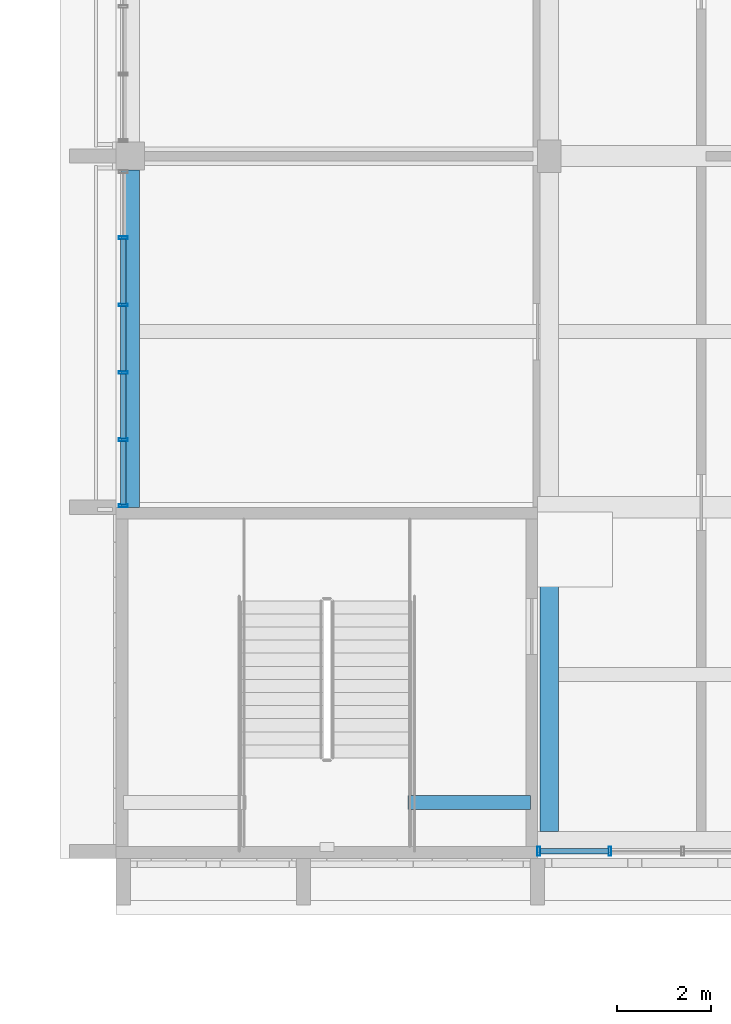
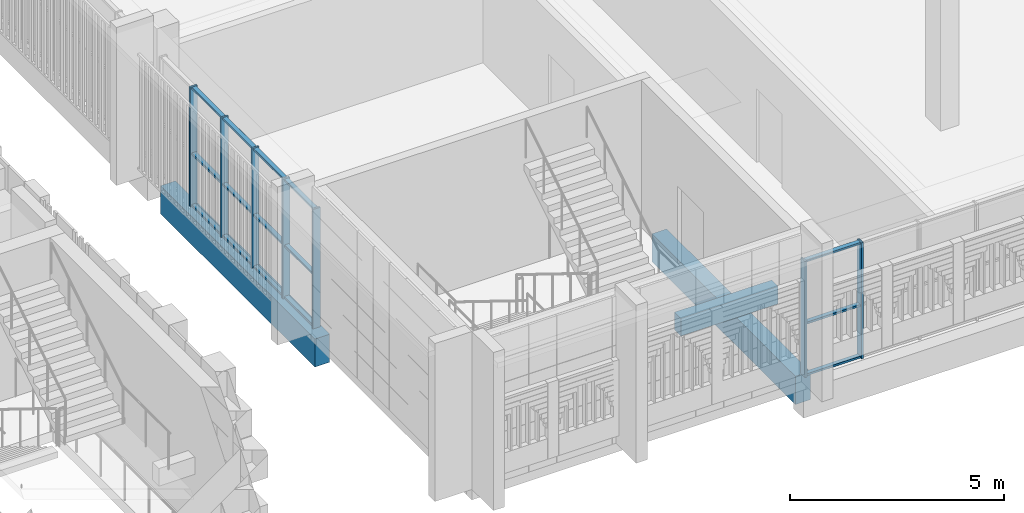
# One storey, part 18 of 92: 22 members, 3 beams, 2 elements without a shape of their own.
"""IFC4 building model written with IfcOpenShell, lengths in metres."""

from ifc_helpers import new_model, si_unit, direction, frame, origin, origin_2d, place, context, subcontext, project, spatial, rectangle, hollow_rectangle, extrude, material, material_profile, profile_set, type_object, element, aggregate, save


model = new_model("IFC4")

# Units and contexts
model_context = context("Model", 3, precision=1e-05, world=origin(), true_north=direction((0.0, 1.0)))
body_context = subcontext(model_context, "Body", "Model", "MODEL_VIEW")
ifc_project = project(units=[si_unit("LENGTHUNIT", "METRE"), si_unit("AREAUNIT", "SQUARE_METRE"), si_unit("VOLUMEUNIT", "CUBIC_METRE"), si_unit("PLANEANGLEUNIT", "RADIAN"), si_unit("MASSUNIT", "GRAM", prefix="KILO")], contexts=[model_context])

# Site, building, storey
site_placement = place(None, origin())
site = spatial("IfcSite", under=ifc_project, at=site_placement, CompositionType="ELEMENT")
building_placement = place(site_placement, origin())
building = spatial("IfcBuilding", under=site, at=building_placement, Name="Sun Court Science Centre", CompositionType="ELEMENT")
storey_placement = place(building_placement, frame((0.0, 0.0, 11.25)))
storey = spatial("IfcBuildingStorey", under=building, at=storey_placement, Name="L02", CompositionType="ELEMENT", Elevation=11.25)

# Curtain wall, members
ifc_material_1 = material(Name="Aluminium EN AW-6063 T6", Category="aluminium")
curtain_wall_type = type_object("IfcCurtainWallType", Name="Laboratory tall bay curtain wall 1500", PredefinedType="NOTDEFINED", material=ifc_material_1)
curtain_wall_1_placement = place(storey_placement, origin())
curtain_wall_1 = element("IfcCurtainWall", 1, at=curtain_wall_1_placement, inside=storey, type_object=curtain_wall_type, Name="Curtain wall V4 W L02 01", PredefinedType="NOTDEFINED")
ifc_material_2 = material(Name="Aluminium EN AW-6063 T6", Category="aluminium")
ifc_material_profile_1 = material_profile(ifc_material_2, hollow_rectangle(XDim=0.06005859375, YDim=0.199951171875, WallThickness=0.0048828125, InnerFilletRadius=0.0048828125, OuterFilletRadius=0.007568359375, at=origin_2d()), Name="AL 60x200x5")
ifc_profile_set_1 = profile_set([ifc_material_profile_1], Name="Aluminium EN AW-6063 T6")
member_type_1 = type_object("IfcMemberType", Name="Curtain wall mullion AL 60x200", PredefinedType="MULLION", material=ifc_profile_set_1)
member_1_placement = place(storey_placement, frame((78.14990234375, 13.530029296875, 0.0), z_axis=(0.0, 0.0, 1.0), x_axis=(0.0, 1.0, 0.0)))
member_1 = element("IfcMember", 2, at=member_1_placement, type_object=member_type_1, Name="CW2-19 mullion 1", PredefinedType="MULLION", context=body_context, shape_type="SweptSolid", body=[
    extrude(hollow_rectangle(XDim=0.06005859375, YDim=0.199951171875, WallThickness=0.0048828125, InnerFilletRadius=0.0048828125, OuterFilletRadius=0.007568359375, at=origin_2d()), origin(), (0.0, 0.0, 1.0), 3.39990234375),
])
member_2_placement = place(storey_placement, frame((78.14990234375, 14.93994140625, 0.0), z_axis=(0.0, 0.0, 1.0), x_axis=(0.0, 1.0, 0.0)))
member_2 = element("IfcMember", 3, at=member_2_placement, type_object=member_type_1, Name="CW2-19 mullion 2", PredefinedType="MULLION", context=body_context, shape_type="SweptSolid", body=[
    extrude(hollow_rectangle(XDim=0.06005859375, YDim=0.199951171875, WallThickness=0.0048828125, InnerFilletRadius=0.0048828125, OuterFilletRadius=0.007568359375, at=origin_2d()), origin(), (0.0, 0.0, 1.0), 3.39990234375),
])
member_3_placement = place(storey_placement, frame((78.14990234375, 16.3798828125, 0.0), z_axis=(0.0, 0.0, 1.0), x_axis=(0.0, 1.0, 0.0)))
member_3 = element("IfcMember", 4, at=member_3_placement, type_object=member_type_1, Name="CW2-19 mullion 3", PredefinedType="MULLION", context=body_context, shape_type="SweptSolid", body=[
    extrude(hollow_rectangle(XDim=0.06005859375, YDim=0.199951171875, WallThickness=0.0048828125, InnerFilletRadius=0.0048828125, OuterFilletRadius=0.007568359375, at=origin_2d()), origin(), (0.0, 0.0, 1.0), 3.39990234375),
])
member_4_placement = place(storey_placement, frame((78.14990234375, 17.820068359375, 0.0), z_axis=(0.0, 0.0, 1.0), x_axis=(0.0, 1.0, 0.0)))
member_4 = element("IfcMember", 5, at=member_4_placement, type_object=member_type_1, Name="CW2-19 mullion 4", PredefinedType="MULLION", context=body_context, shape_type="SweptSolid", body=[
    extrude(hollow_rectangle(XDim=0.06005859375, YDim=0.199951171875, WallThickness=0.0048828125, InnerFilletRadius=0.0048828125, OuterFilletRadius=0.007568359375, at=origin_2d()), origin(), (0.0, 0.0, 1.0), 3.39990234375),
])
member_5_placement = place(storey_placement, frame((78.14990234375, 19.260009765625, 0.0), z_axis=(0.0, 0.0, 1.0), x_axis=(0.0, 1.0, 0.0)))
member_5 = element("IfcMember", 6, at=member_5_placement, type_object=member_type_1, Name="CW2-19 mullion 5", PredefinedType="MULLION", context=body_context, shape_type="SweptSolid", body=[
    extrude(hollow_rectangle(XDim=0.06005859375, YDim=0.199951171875, WallThickness=0.0048828125, InnerFilletRadius=0.0048828125, OuterFilletRadius=0.007568359375, at=origin_2d()), origin(), (0.0, 0.0, 1.0), 3.39990234375),
])

curtain_wall_2_placement = place(storey_placement, origin())
curtain_wall_2 = element("IfcCurtainWall", 7, at=curtain_wall_2_placement, inside=storey, type_object=curtain_wall_type, Name="Curtain wall V4 S L02 02", PredefinedType="NOTDEFINED")
member_6_placement = place(storey_placement, frame((87.030029296875, 6.14990234375, 0.0), z_axis=(0.0, 0.0, 1.0), x_axis=(-1.0, 0.0, 0.0)))
member_6 = element("IfcMember", 8, at=member_6_placement, type_object=member_type_1, Name="CW2-52 mullion 6", PredefinedType="MULLION", context=body_context, shape_type="SweptSolid", body=[
    extrude(hollow_rectangle(XDim=0.06005859375, YDim=0.199951171875, WallThickness=0.0048828125, InnerFilletRadius=0.0048828125, OuterFilletRadius=0.007568359375, at=origin_2d()), origin(), (0.0, 0.0, 1.0), 3.300048828125),
])
member_7_placement = place(storey_placement, frame((88.550048828125, 6.14990234375, 0.0), z_axis=(0.0, 0.0, 1.0), x_axis=(-1.0, 0.0, 0.0)))
member_7 = element("IfcMember", 9, at=member_7_placement, type_object=member_type_1, Name="CW2-52 mullion 5", PredefinedType="MULLION", context=body_context, shape_type="SweptSolid", body=[
    extrude(hollow_rectangle(XDim=0.06005859375, YDim=0.199951171875, WallThickness=0.0048828125, InnerFilletRadius=0.0048828125, OuterFilletRadius=0.007568359375, at=origin_2d()), origin(), (0.0, 0.0, 1.0), 3.300048828125),
])

# Member
ifc_material_3 = material(Name="Aluminium EN AW-6063 T6", Category="aluminium")
ifc_material_profile_2 = material_profile(ifc_material_3, hollow_rectangle(XDim=0.06005859375, YDim=0.1201171875, WallThickness=0.00390625, InnerFilletRadius=0.00390625, OuterFilletRadius=0.006103515625, at=origin_2d()), Name="AL 60x120x4")
ifc_profile_set_2 = profile_set([ifc_material_profile_2], Name="Aluminium EN AW-6063 T6")
member_type_2 = type_object("IfcMemberType", Name="Curtain wall transom AL 60x120", PredefinedType="USERDEFINED", material=ifc_profile_set_2)
member_8_placement = place(storey_placement, frame((78.14990234375, 13.56005859375, 0.030029296875), z_axis=(0.0, 1.0, 0.0), x_axis=(0.0, 0.0, 1.0)))
member_8 = element("IfcMember", 10, at=member_8_placement, type_object=member_type_2, Name="CW2-19 transom 1.1", ObjectType="TRANSOM", PredefinedType="USERDEFINED", context=body_context, shape_type="SweptSolid", body=[
    extrude(hollow_rectangle(XDim=0.06005859375, YDim=0.1201171875, WallThickness=0.00390625, InnerFilletRadius=0.00390625, OuterFilletRadius=0.006103515625, at=origin_2d()), origin(), (0.0, 0.0, 1.0), 1.349853515625),
])

member_9_placement = place(storey_placement, frame((78.14990234375, 14.969970703125, 0.030029296875), z_axis=(0.0, 1.0, 0.0), x_axis=(0.0, 0.0, 1.0)))
member_9 = element("IfcMember", 11, at=member_9_placement, type_object=member_type_2, Name="CW2-19 transom 2.1", ObjectType="TRANSOM", PredefinedType="USERDEFINED", context=body_context, shape_type="SweptSolid", body=[
    extrude(hollow_rectangle(XDim=0.06005859375, YDim=0.1201171875, WallThickness=0.00390625, InnerFilletRadius=0.00390625, OuterFilletRadius=0.006103515625, at=origin_2d()), origin(), (0.0, 0.0, 1.0), 1.380126953125),
])

member_10_placement = place(storey_placement, frame((78.14990234375, 16.409912109375, 0.030029296875), z_axis=(0.0, 1.0, 0.0), x_axis=(0.0, 0.0, 1.0)))
member_10 = element("IfcMember", 12, at=member_10_placement, type_object=member_type_2, Name="CW2-19 transom 3.1", ObjectType="TRANSOM", PredefinedType="USERDEFINED", context=body_context, shape_type="SweptSolid", body=[
    extrude(hollow_rectangle(XDim=0.06005859375, YDim=0.1201171875, WallThickness=0.00390625, InnerFilletRadius=0.00390625, OuterFilletRadius=0.006103515625, at=origin_2d()), origin(), (0.0, 0.0, 1.0), 1.380126953125),
])

member_11_placement = place(storey_placement, frame((78.14990234375, 17.85009765625, 0.030029296875), z_axis=(0.0, 1.0, 0.0), x_axis=(0.0, 0.0, 1.0)))
member_11 = element("IfcMember", 13, at=member_11_placement, type_object=member_type_2, Name="CW2-19 transom 4.1", ObjectType="TRANSOM", PredefinedType="USERDEFINED", context=body_context, shape_type="SweptSolid", body=[
    extrude(hollow_rectangle(XDim=0.06005859375, YDim=0.1201171875, WallThickness=0.00390625, InnerFilletRadius=0.00390625, OuterFilletRadius=0.006103515625, at=origin_2d()), origin(), (0.0, 0.0, 1.0), 1.3798828125),
])

member_12_placement = place(storey_placement, frame((78.14990234375, 13.56005859375, 1.5), z_axis=(0.0, 1.0, 0.0), x_axis=(0.0, 0.0, 1.0)))
member_12 = element("IfcMember", 14, at=member_12_placement, type_object=member_type_2, Name="CW2-19 transom 1.2", ObjectType="TRANSOM", PredefinedType="USERDEFINED", context=body_context, shape_type="SweptSolid", body=[
    extrude(hollow_rectangle(XDim=0.06005859375, YDim=0.1201171875, WallThickness=0.00390625, InnerFilletRadius=0.00390625, OuterFilletRadius=0.006103515625, at=origin_2d()), origin(), (0.0, 0.0, 1.0), 1.349853515625),
])

member_13_placement = place(storey_placement, frame((78.14990234375, 14.969970703125, 1.5), z_axis=(0.0, 1.0, 0.0), x_axis=(0.0, 0.0, 1.0)))
member_13 = element("IfcMember", 15, at=member_13_placement, type_object=member_type_2, Name="CW2-19 transom 2.2", ObjectType="TRANSOM", PredefinedType="USERDEFINED", context=body_context, shape_type="SweptSolid", body=[
    extrude(hollow_rectangle(XDim=0.06005859375, YDim=0.1201171875, WallThickness=0.00390625, InnerFilletRadius=0.00390625, OuterFilletRadius=0.006103515625, at=origin_2d()), origin(), (0.0, 0.0, 1.0), 1.380126953125),
])

member_14_placement = place(storey_placement, frame((78.14990234375, 16.409912109375, 1.5), z_axis=(0.0, 1.0, 0.0), x_axis=(0.0, 0.0, 1.0)))
member_14 = element("IfcMember", 16, at=member_14_placement, type_object=member_type_2, Name="CW2-19 transom 3.2", ObjectType="TRANSOM", PredefinedType="USERDEFINED", context=body_context, shape_type="SweptSolid", body=[
    extrude(hollow_rectangle(XDim=0.06005859375, YDim=0.1201171875, WallThickness=0.00390625, InnerFilletRadius=0.00390625, OuterFilletRadius=0.006103515625, at=origin_2d()), origin(), (0.0, 0.0, 1.0), 1.380126953125),
])

member_15_placement = place(storey_placement, frame((78.14990234375, 17.85009765625, 1.5), z_axis=(0.0, 1.0, 0.0), x_axis=(0.0, 0.0, 1.0)))
member_15 = element("IfcMember", 17, at=member_15_placement, type_object=member_type_2, Name="CW2-19 transom 4.2", ObjectType="TRANSOM", PredefinedType="USERDEFINED", context=body_context, shape_type="SweptSolid", body=[
    extrude(hollow_rectangle(XDim=0.06005859375, YDim=0.1201171875, WallThickness=0.00390625, InnerFilletRadius=0.00390625, OuterFilletRadius=0.006103515625, at=origin_2d()), origin(), (0.0, 0.0, 1.0), 1.3798828125),
])

member_16_placement = place(storey_placement, frame((78.14990234375, 13.56005859375, 3.3701171875), z_axis=(0.0, 1.0, 0.0), x_axis=(0.0, 0.0, 1.0)))
member_16 = element("IfcMember", 18, at=member_16_placement, type_object=member_type_2, Name="CW2-19 transom 1.3", ObjectType="TRANSOM", PredefinedType="USERDEFINED", context=body_context, shape_type="SweptSolid", body=[
    extrude(hollow_rectangle(XDim=0.06005859375, YDim=0.1201171875, WallThickness=0.00390625, InnerFilletRadius=0.00390625, OuterFilletRadius=0.006103515625, at=origin_2d()), origin(), (0.0, 0.0, 1.0), 1.349853515625),
])

member_17_placement = place(storey_placement, frame((78.14990234375, 14.969970703125, 3.3701171875), z_axis=(0.0, 1.0, 0.0), x_axis=(0.0, 0.0, 1.0)))
member_17 = element("IfcMember", 19, at=member_17_placement, type_object=member_type_2, Name="CW2-19 transom 2.3", ObjectType="TRANSOM", PredefinedType="USERDEFINED", context=body_context, shape_type="SweptSolid", body=[
    extrude(hollow_rectangle(XDim=0.06005859375, YDim=0.1201171875, WallThickness=0.00390625, InnerFilletRadius=0.00390625, OuterFilletRadius=0.006103515625, at=origin_2d()), origin(), (0.0, 0.0, 1.0), 1.380126953125),
])

member_18_placement = place(storey_placement, frame((78.14990234375, 16.409912109375, 3.3701171875), z_axis=(0.0, 1.0, 0.0), x_axis=(0.0, 0.0, 1.0)))
member_18 = element("IfcMember", 20, at=member_18_placement, type_object=member_type_2, Name="CW2-19 transom 3.3", ObjectType="TRANSOM", PredefinedType="USERDEFINED", context=body_context, shape_type="SweptSolid", body=[
    extrude(hollow_rectangle(XDim=0.06005859375, YDim=0.1201171875, WallThickness=0.00390625, InnerFilletRadius=0.00390625, OuterFilletRadius=0.006103515625, at=origin_2d()), origin(), (0.0, 0.0, 1.0), 1.380126953125),
])

member_19_placement = place(storey_placement, frame((78.14990234375, 17.85009765625, 3.3701171875), z_axis=(0.0, 1.0, 0.0), x_axis=(0.0, 0.0, 1.0)))
member_19 = element("IfcMember", 21, at=member_19_placement, type_object=member_type_2, Name="CW2-19 transom 4.3", ObjectType="TRANSOM", PredefinedType="USERDEFINED", context=body_context, shape_type="SweptSolid", body=[
    extrude(hollow_rectangle(XDim=0.06005859375, YDim=0.1201171875, WallThickness=0.00390625, InnerFilletRadius=0.00390625, OuterFilletRadius=0.006103515625, at=origin_2d()), origin(), (0.0, 0.0, 1.0), 1.3798828125),
])

aggregate(curtain_wall_1, [member_1, member_2, member_3, member_4, member_5, member_8, member_9, member_10, member_11, member_12, member_13, member_14, member_15, member_16, member_17, member_18, member_19])

member_20_placement = place(storey_placement, frame((88.52001953125, 6.14990234375, 0.030029296875), z_axis=(-1.0, 0.0, 0.0), x_axis=(0.0, 0.0, 1.0)))
member_20 = element("IfcMember", 22, at=member_20_placement, type_object=member_type_2, Name="CW2-52 transom 5.1", ObjectType="TRANSOM", PredefinedType="USERDEFINED", context=body_context, shape_type="SweptSolid", body=[
    extrude(hollow_rectangle(XDim=0.06005859375, YDim=0.1201171875, WallThickness=0.00390625, InnerFilletRadius=0.00390625, OuterFilletRadius=0.006103515625, at=origin_2d()), origin(), (0.0, 0.0, 1.0), 1.4599609375),
])

member_21_placement = place(storey_placement, frame((88.52001953125, 6.14990234375, 1.5), z_axis=(-1.0, 0.0, 0.0), x_axis=(0.0, 0.0, 1.0)))
member_21 = element("IfcMember", 23, at=member_21_placement, type_object=member_type_2, Name="CW2-52 transom 5.2", ObjectType="TRANSOM", PredefinedType="USERDEFINED", context=body_context, shape_type="SweptSolid", body=[
    extrude(hollow_rectangle(XDim=0.06005859375, YDim=0.1201171875, WallThickness=0.00390625, InnerFilletRadius=0.00390625, OuterFilletRadius=0.006103515625, at=origin_2d()), origin(), (0.0, 0.0, 1.0), 1.4599609375),
])

member_22_placement = place(storey_placement, frame((88.52001953125, 6.14990234375, 3.27001953125), z_axis=(-1.0, 0.0, 0.0), x_axis=(0.0, 0.0, 1.0)))
member_22 = element("IfcMember", 24, at=member_22_placement, type_object=member_type_2, Name="CW2-52 transom 5.3", ObjectType="TRANSOM", PredefinedType="USERDEFINED", context=body_context, shape_type="SweptSolid", body=[
    extrude(hollow_rectangle(XDim=0.06005859375, YDim=0.1201171875, WallThickness=0.00390625, InnerFilletRadius=0.00390625, OuterFilletRadius=0.006103515625, at=origin_2d()), origin(), (0.0, 0.0, 1.0), 1.4599609375),
])

aggregate(curtain_wall_2, [member_6, member_7, member_20, member_21, member_22])

# Beams
ifc_material_4 = material(Name="Concrete C25/30", Category="concrete")
ifc_material_profile_3 = material_profile(ifc_material_4, rectangle(XDim=0.39990234375, YDim=0.800048828125, at=origin_2d()), Name="RC 400x800")
ifc_profile_set_3 = profile_set([ifc_material_profile_3], Name="Concrete C25/30")
beam_type_1 = type_object("IfcBeamType", Name="RC girder 400x800", PredefinedType="BEAM", material=ifc_profile_set_3)
beam_1_placement = place(storey_placement, frame((78.300048828125, 13.5, -0.699951171875), z_axis=(0.0, 1.0, 0.0), x_axis=(-1.0, 0.0, 0.0)))
element("IfcBeam", 25, at=beam_1_placement, inside=storey, type_object=beam_type_1, Name="Girder L02 line 1", PredefinedType="BEAM", context=body_context, shape_type="SweptSolid", body=[
    extrude(rectangle(XDim=0.39990234375, YDim=0.800048828125, at=origin_2d()), origin(), (0.0, 0.0, 1.0), 7.199951171875),
])
beam_2_placement = place(storey_placement, frame((87.25, 6.574951171875, -0.699951171875), z_axis=(0.0, 1.0, 0.0), x_axis=(-1.0, 0.0, 0.0)))
element("IfcBeam", 26, at=beam_2_placement, inside=storey, type_object=beam_type_1, Name="Girder L02 line 2", PredefinedType="BEAM", context=body_context, shape_type="SweptSolid", body=[
    extrude(rectangle(XDim=0.39990234375, YDim=0.800048828125, at=origin_2d()), origin(), (0.0, 0.0, 1.0), 6.699951171875),
])
ifc_material_5 = material(Name="Concrete C25/30", Category="concrete")
ifc_material_profile_4 = material_profile(ifc_material_5, rectangle(XDim=0.300048828125, YDim=0.5, at=origin_2d()), Name="RC 300x500")
ifc_profile_set_4 = profile_set([ifc_material_profile_4], Name="Concrete C25/30")
beam_type_2 = type_object("IfcBeamType", Name="RC landing trimmer 300x500", PredefinedType="BEAM", material=ifc_profile_set_4)
beam_3_placement = place(storey_placement, frame((86.85009765625, 7.196044921875, 1.800048828125), z_axis=(-1.0, 0.0, 0.0), x_axis=(0.0, -1.0, 0.0)))
element("IfcBeam", 27, at=beam_3_placement, inside=storey, type_object=beam_type_2, Name="SL1 landing 1 trimmer beam 20", PredefinedType="BEAM", context=body_context, shape_type="SweptSolid", body=[
    extrude(rectangle(XDim=0.300048828125, YDim=0.5, at=origin_2d()), origin(), (0.0, 0.0, 1.0), 2.6171875),
])

save(model, "model.ifc")
